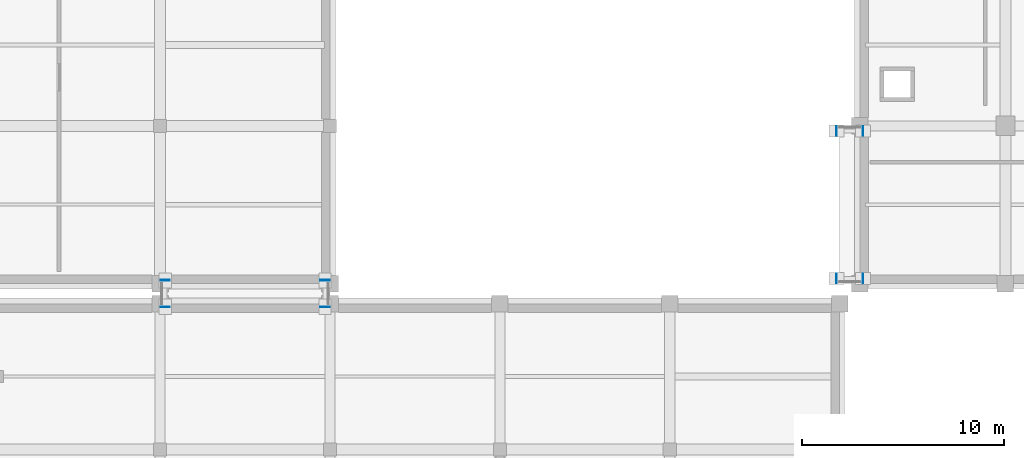
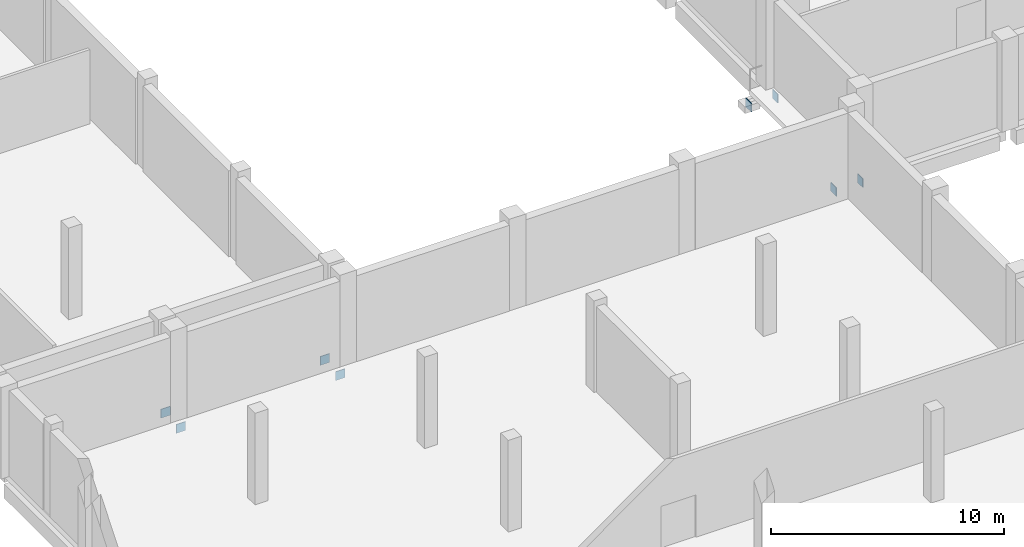
# One storey, part 21 of 31: 8 discrete accessories.
"""IFC4 building model written with IfcOpenShell, lengths in metres."""

from ifc_helpers import new_model, si_unit, direction, frame, origin, origin_2d, place, context, subcontext, project, spatial, rectangle, extrude, material, material_profile, profile_set, type_object, element, save


model = new_model("IFC4")

# Units and contexts
model_context = context("Model", 3, precision=1e-05, world=origin(), true_north=direction((0.0, 1.0)))
body_context = subcontext(model_context, "Body", "Model", "MODEL_VIEW")
ifc_project = project(units=[si_unit("LENGTHUNIT", "METRE"), si_unit("AREAUNIT", "SQUARE_METRE"), si_unit("VOLUMEUNIT", "CUBIC_METRE"), si_unit("PLANEANGLEUNIT", "RADIAN"), si_unit("MASSUNIT", "GRAM", prefix="KILO")], contexts=[model_context])

# Site, building, storey
site_placement = place(None, origin())
site = spatial("IfcSite", under=ifc_project, at=site_placement, CompositionType="ELEMENT")
building_placement = place(site_placement, origin())
building = spatial("IfcBuilding", under=site, at=building_placement, Name="Kelarvand Opera House", CompositionType="ELEMENT")
storey_placement = place(building_placement, frame((0.0, 0.0, -4.800048828125)))
storey = spatial("IfcBuildingStorey", under=building, at=storey_placement, Name="B1", CompositionType="ELEMENT", Elevation=-4.800048828125)

# Discrete accessories
ifc_material = material(Name="Steel S355", Category="steel")
ifc_material_profile = material_profile(ifc_material, rectangle(XDim=0.4599609375, YDim=0.4599609375, at=origin_2d()), Name="Welded Steel Hollow End-Cap Plate 460x460x24", Category="steel")
ifc_profile_set = profile_set([ifc_material_profile], Name="Steel S355")
discrete_accessory_type = type_object("IfcDiscreteAccessoryType", Name="Welded Steel Hollow End-Cap Plate 460x460x24", PredefinedType="SHOE", material=ifc_profile_set)
for number, where, z_axis, x_axis, name in (
    (1, (50.85791015625, 39.050048828125, -0.599853515625), (-1.0, 0.0, 0.0), (0.0, -1.0, 0.0), "Hollow Section Welded End Cap 17"),
    (2, (52.14208984375, 39.050048828125, -0.599853515625), (1.0, 0.0, 0.0), (0.0, 1.0, 0.0), "Hollow Section Welded End Cap 18"),
    (3, (50.85791015625, 46.35009765625, -0.599853515625), (-1.0, 0.0, 0.0), (0.0, -1.0, 0.0), "Hollow Section Welded End Cap 19"),
    (4, (52.14208984375, 46.35009765625, -0.599853515625), (1.0, 0.0, 0.0), (0.0, 1.0, 0.0), "Hollow Section Welded End Cap 20"),
    (5, (17.64990234375, 37.657958984375, -0.599853515625), (0.0, -1.0, 0.0), (1.0, 0.0, 0.0), "Hollow Section Welded End Cap 81"),
):
    element("IfcDiscreteAccessory", number, at=place(storey_placement, frame(where, z_axis=z_axis, x_axis=x_axis)), inside=storey, type_object=discrete_accessory_type, Name=name, PredefinedType="SHOE", context=body_context, shape_type="SweptSolid", body=[
        extrude(rectangle(XDim=0.4599609375, YDim=0.4599609375, at=origin_2d()), origin(), (0.0, 0.0, 1.0), 0.035888671875),
    ])
discrete_accessory_1_placement = place(storey_placement, frame((17.64990234375, 38.94189453125, -0.599853515625), z_axis=(0.0, 1.0, 0.0), x_axis=(-1.0, 0.0, 0.0)))
element("IfcDiscreteAccessory", 6, at=discrete_accessory_1_placement, inside=storey, type_object=discrete_accessory_type, Name="Hollow Section Welded End Cap 82", PredefinedType="SHOE", context=body_context, shape_type="SweptSolid", body=[
    extrude(rectangle(XDim=0.4599609375, YDim=0.4599609375, at=origin_2d()), origin(), (0.0, 0.0, 1.0), 0.0361328125),
])
discrete_accessory_2_placement = place(storey_placement, frame((25.550048828125, 37.657958984375, -0.599853515625), z_axis=(0.0, -1.0, 0.0), x_axis=(1.0, 0.0, 0.0)))
element("IfcDiscreteAccessory", 7, at=discrete_accessory_2_placement, inside=storey, type_object=discrete_accessory_type, Name="Hollow Section Welded End Cap 83", PredefinedType="SHOE", context=body_context, shape_type="SweptSolid", body=[
    extrude(rectangle(XDim=0.4599609375, YDim=0.4599609375, at=origin_2d()), origin(), (0.0, 0.0, 1.0), 0.035888671875),
])
discrete_accessory_3_placement = place(storey_placement, frame((25.550048828125, 38.94189453125, -0.599853515625), z_axis=(0.0, 1.0, 0.0), x_axis=(-1.0, 0.0, 0.0)))
element("IfcDiscreteAccessory", 8, at=discrete_accessory_3_placement, inside=storey, type_object=discrete_accessory_type, Name="Hollow Section Welded End Cap 84", PredefinedType="SHOE", context=body_context, shape_type="SweptSolid", body=[
    extrude(rectangle(XDim=0.4599609375, YDim=0.4599609375, at=origin_2d()), origin(), (0.0, 0.0, 1.0), 0.0361328125),
])

save(model, "model.ifc")
